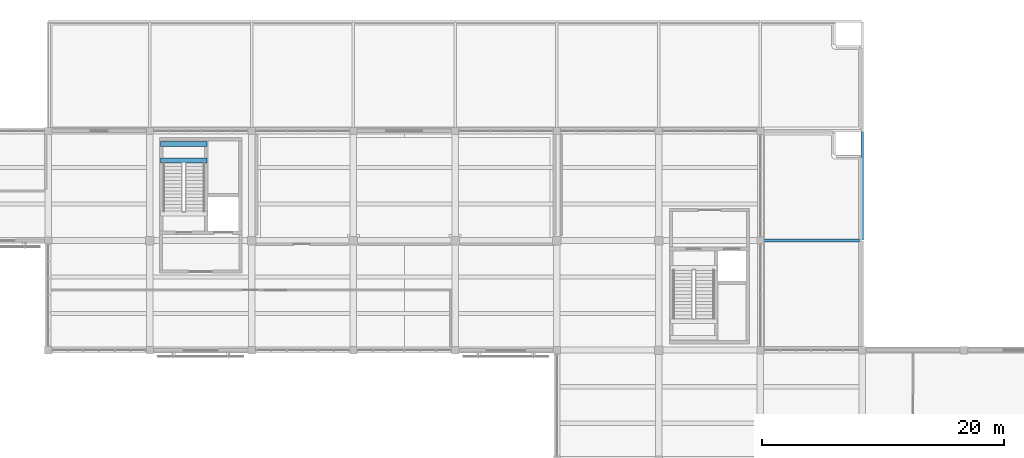
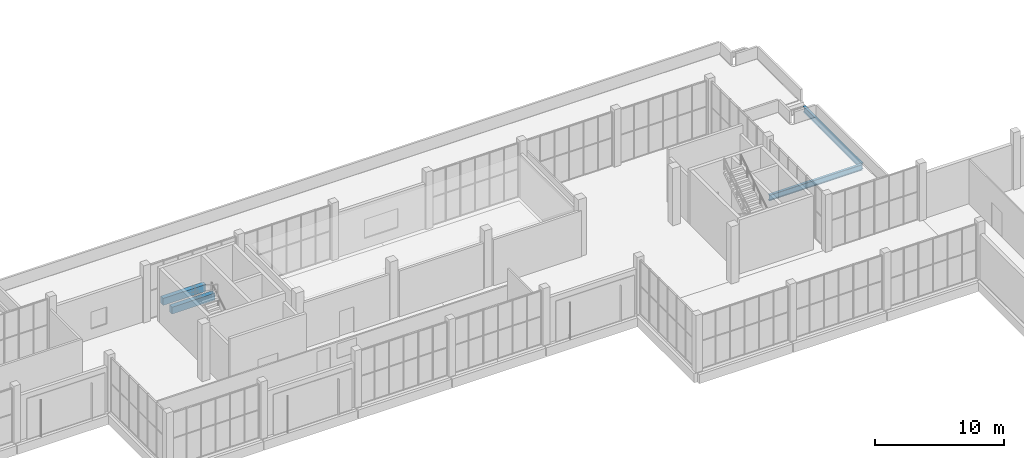
# One storey, part 84 of 132: 4 beams.
"""IFC4 building model written with IfcOpenShell, lengths in metres."""

from ifc_helpers import new_model, si_unit, direction, frame, origin, origin_2d, place, context, subcontext, project, spatial, rectangle, i_section, extrude, material, material_profile, profile_set, type_object, element, save


model = new_model("IFC4")

# Units and contexts
model_context = context("Model", 3, precision=1e-05, world=origin(), true_north=direction((0.0, 1.0)))
body_context = subcontext(model_context, "Body", "Model", "MODEL_VIEW")
ifc_project = project(units=[si_unit("LENGTHUNIT", "METRE"), si_unit("AREAUNIT", "SQUARE_METRE"), si_unit("VOLUMEUNIT", "CUBIC_METRE"), si_unit("PLANEANGLEUNIT", "RADIAN"), si_unit("MASSUNIT", "GRAM", prefix="KILO")], contexts=[model_context])

# Site, building, storey
site_placement = place(None, origin())
site = spatial("IfcSite", under=ifc_project, at=site_placement, CompositionType="ELEMENT")
building_placement = place(site_placement, origin())
building = spatial("IfcBuilding", under=site, at=building_placement, Name="Khurvash Pelagic Aquarium", CompositionType="ELEMENT")
storey_placement = place(building_placement, frame((0.0, 0.0, 5.39990234375)))
storey = spatial("IfcBuildingStorey", under=building, at=storey_placement, Name="L01", CompositionType="ELEMENT", Elevation=5.39990234375)

# Beams
ifc_material_1 = material(Name="Concrete C35/45", Category="concrete")
ifc_material_profile_1 = material_profile(ifc_material_1, rectangle(XDim=0.39990234375, YDim=0.64990234375, at=origin_2d()), Name="RC400X650")
ifc_profile_set_1 = profile_set([ifc_material_profile_1], Name="Concrete C35/45")
beam_type_1 = type_object("IfcBeamType", Name="BM-05", PredefinedType="BEAM", material=ifc_profile_set_1)
for number, where, z_axis, x_axis, name in (
    (1, (68.080078125, 99.7099609375, 2.175048828125), (1.0, 0.0, 0.0), (0.0, 1.0, 0.0), "L01 Stair ST-04 Mid-Landing Trimmer Beam BM-05"),
    (2, (68.080078125, 101.080078125, 2.175048828125), (1.0, 0.0, 0.0), (0.0, 1.0, 0.0), "L01 Stair ST-04 Mid-Landing Trimmer Beam BM-05"),
):
    element("IfcBeam", number, at=place(storey_placement, frame(where, z_axis=z_axis, x_axis=x_axis)), inside=storey, type_object=beam_type_1, Name=name, PredefinedType="BEAM", context=body_context, shape_type="SweptSolid", body=[
        extrude(rectangle(XDim=0.39990234375, YDim=0.64990234375, at=origin_2d()), origin(), (0.0, 0.0, 1.0), 3.83984375),
    ])
ifc_material_2 = material(Name="Steel ASTM A992 Grade 50", Category="steel")
ifc_material_profile_2 = material_profile(ifc_material_2, i_section(OverallWidth=0.214111328125, OverallDepth=0.549072265625, WebThickness=0.0146484375, FlangeThickness=0.023681640625, at=origin_2d()), Name="W21X93")
ifc_profile_set_2 = profile_set([ifc_material_profile_2], Name="Steel ASTM A992 Grade 50")
beam_type_2 = type_object("IfcBeamType", Name="BM-11", PredefinedType="BEAM", material=ifc_profile_set_2)
beam_1_placement = place(storey_placement, frame((117.639892578125, 93.10009765625, -0.594482421875), z_axis=(1.0, 0.0, 0.0), x_axis=(0.0, 1.0, 0.0)))
element("IfcBeam", 3, at=beam_1_placement, inside=storey, type_object=beam_type_2, Name="L01 Roof Girder BM-11 01191", PredefinedType="BEAM", context=body_context, shape_type="SweptSolid", body=[
    extrude(i_section(OverallWidth=0.214111328125, OverallDepth=0.549072265625, WebThickness=0.0146484375, FlangeThickness=0.023681640625, at=origin_2d()), origin(), (0.0, 0.0, 1.0), 8.320068359375),
])
beam_2_placement = place(storey_placement, frame((126.0, 93.139892578125, -0.594482421875), z_axis=(0.0, 1.0, 0.0), x_axis=(-1.0, 0.0, 0.0)))
element("IfcBeam", 4, at=beam_2_placement, inside=storey, type_object=beam_type_2, Name="L01 Roof Girder BM-11 01218", PredefinedType="BEAM", context=body_context, shape_type="SweptSolid", body=[
    extrude(i_section(OverallWidth=0.214111328125, OverallDepth=0.549072265625, WebThickness=0.0146484375, FlangeThickness=0.023681640625, at=origin_2d()), origin(), (0.0, 0.0, 1.0), 8.97021484375),
])

save(model, "model.ifc")
